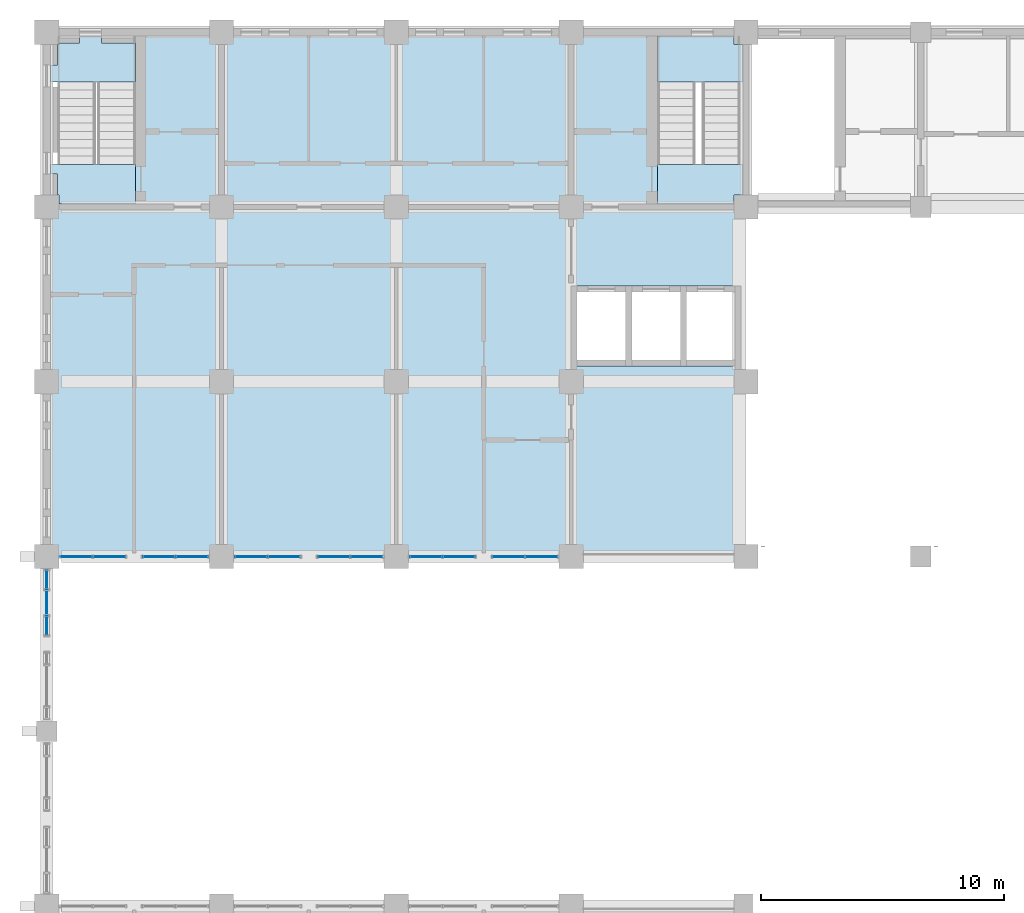
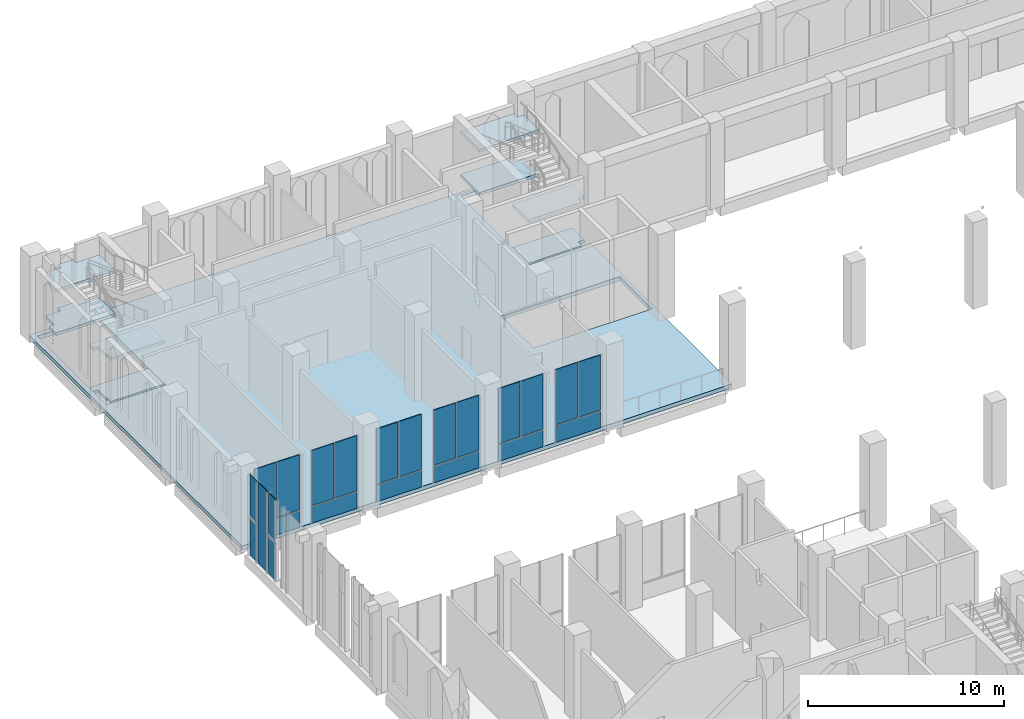
# One storey, part 24 of 48: 23 plates, 9 slabs, 9 elements without a shape of their own.
"""IFC4 building model written with IfcOpenShell, lengths in metres."""

from ifc_helpers import new_model, si_unit, direction, frame, origin, origin_2d, place, context, subcontext, project, spatial, polyline, rectangle, outline, extrude, material, layer, layer_set, type_object, element, aggregate, save


model = new_model("IFC4")

# Units and contexts
model_context = context("Model", 3, precision=1e-05, world=origin(), true_north=direction((0.0, 1.0)))
body_context = subcontext(model_context, "Body", "Model", "MODEL_VIEW")
ifc_project = project(units=[si_unit("LENGTHUNIT", "METRE"), si_unit("AREAUNIT", "SQUARE_METRE"), si_unit("VOLUMEUNIT", "CUBIC_METRE"), si_unit("PLANEANGLEUNIT", "RADIAN"), si_unit("MASSUNIT", "GRAM", prefix="KILO")], contexts=[model_context])

# Site, building, storey
site_placement = place(None, origin())
site = spatial("IfcSite", under=ifc_project, at=site_placement, CompositionType="ELEMENT")
building_placement = place(site_placement, origin())
building = spatial("IfcBuilding", under=site, at=building_placement, Name="Silangan Lancet Faculty of Sciences", CompositionType="ELEMENT")
storey_placement = place(building_placement, frame((0.0, 0.0, 6.0)))
storey = spatial("IfcBuildingStorey", under=building, at=storey_placement, Name="L01", CompositionType="ELEMENT", Elevation=6.0)

# Curtain wall, plates
ifc_material_1 = material(Name="Aluminium framed curtain wall with insulated glass", Category="aluminium")
curtain_wall_type_1 = type_object("IfcCurtainWallType", Name="CW3 West stepped lancet window", PredefinedType="NOTDEFINED", material=ifc_material_1)
curtain_wall_1_placement = place(storey_placement, origin())
curtain_wall_1 = element("IfcCurtainWall", 1, at=curtain_wall_1_placement, inside=storey, type_object=curtain_wall_type_1, Name="CW3 West window L01 bay 4", PredefinedType="NOTDEFINED")
ifc_material_2 = material(Name="Insulated glass unit 8+16+8 low-emissivity", Category="glass")
ifc_layer_1 = layer(ifc_material_2, 0.031982421875)
ifc_layer_set_1 = layer_set([ifc_layer_1], Name="Insulated glass unit 8+16+8 low-emissivity")
plate_type_1 = type_object("IfcPlateType", Name="CP1 Panel vision glass 32", PredefinedType="CURTAIN_PANEL", material=ifc_layer_set_1)
plate_1_placement = place(storey_placement, frame((0.0, 33.14990234375, 2.25), z_axis=(0.0, 0.0, 1.0), x_axis=(0.0, 1.0, 0.0)))
plate_1 = element("IfcPlate", 2, at=plate_1_placement, type_object=plate_type_1, Name="CW3 West window L01 bay 4 panel 3", PredefinedType="CURTAIN_PANEL", context=body_context, shape_type="SweptSolid", body=[
    extrude(rectangle(XDim=0.75, YDim=0.031982421875, at=origin_2d()), origin(), (0.0, 0.0, 1.0), 2.550048828125),
])
plate_2_placement = place(storey_placement, frame((0.0, 35.050048828125, 2.25), z_axis=(0.0, 0.0, 1.0), x_axis=(0.0, 1.0, 0.0)))
plate_2 = element("IfcPlate", 3, at=plate_2_placement, type_object=plate_type_1, Name="CW3 West window L01 bay 4 panel 4", PredefinedType="CURTAIN_PANEL", context=body_context, shape_type="SweptSolid", body=[
    extrude(rectangle(XDim=0.75, YDim=0.031982421875, at=origin_2d()), origin(), (0.0, 0.0, 1.0), 2.550048828125),
])
ifc_material_3 = material(Name="Laminated insulated glass unit 10.76+14+8", Category="glass")
ifc_layer_2 = layer(ifc_material_3, 0.035888671875)
ifc_layer_set_2 = layer_set([ifc_layer_2], Name="Laminated insulated glass unit 10.76+14+8")
plate_type_2 = type_object("IfcPlateType", Name="CP2 Panel laminated glass 36", PredefinedType="CURTAIN_PANEL", material=ifc_layer_set_2)
plate_3_placement = place(storey_placement, frame((0.0, 33.14990234375, -0.25), z_axis=(0.0, 0.0, 1.0), x_axis=(0.0, 1.0, 0.0)))
plate_3 = element("IfcPlate", 4, at=plate_3_placement, type_object=plate_type_2, Name="CW3 West window L01 bay 4 panel 1", PredefinedType="CURTAIN_PANEL", context=body_context, shape_type="SweptSolid", body=[
    extrude(rectangle(XDim=0.75, YDim=0.035888671875, at=origin_2d()), origin(), (0.0, 0.0, 1.0), 2.39990234375),
])
plate_4_placement = place(storey_placement, frame((0.0, 35.050048828125, -0.25), z_axis=(0.0, 0.0, 1.0), x_axis=(0.0, 1.0, 0.0)))
plate_4 = element("IfcPlate", 5, at=plate_4_placement, type_object=plate_type_2, Name="CW3 West window L01 bay 4 panel 2", PredefinedType="CURTAIN_PANEL", context=body_context, shape_type="SweptSolid", body=[
    extrude(rectangle(XDim=0.75, YDim=0.035888671875, at=origin_2d()), origin(), (0.0, 0.0, 1.0), 2.39990234375),
])
plate_5_placement = place(storey_placement, frame((0.0, 34.099853515625, -0.25), z_axis=(0.0, 0.0, 1.0), x_axis=(0.0, 1.0, 0.0)))
plate_5 = element("IfcPlate", 6, at=plate_5_placement, type_object=plate_type_2, Name="CW3 West window L01 bay 4 panel 5", PredefinedType="CURTAIN_PANEL", context=body_context, shape_type="SweptSolid", body=[
    extrude(rectangle(XDim=1.0, YDim=0.035888671875, at=origin_2d()), origin(), (0.0, 0.0, 1.0), 5.050048828125),
])
aggregate(curtain_wall_1, [plate_3, plate_4, plate_1, plate_2, plate_5])

ifc_material_4 = material(Name="Aluminium framed curtain wall with insulated glass", Category="aluminium")
curtain_wall_type_2 = type_object("IfcCurtainWallType", Name="CW2 Atrium fire-resisting screen", PredefinedType="NOTDEFINED", material=ifc_material_4)
curtain_wall_2_placement = place(storey_placement, origin())
curtain_wall_2 = element("IfcCurtainWall", 7, at=curtain_wall_2_placement, inside=storey, type_object=curtain_wall_type_2, Name="CW2 Atrium north L01 bay 1", PredefinedType="NOTDEFINED")
ifc_material_5 = material(Name="Fire-resisting glass unit 40 mm, integrity E", Category="glass")
ifc_layer_3 = layer(ifc_material_5, 0.0400390625)
ifc_layer_set_3 = layer_set([ifc_layer_3], Name="Fire-resisting glass unit 40 mm, integrity E")
plate_type_3 = type_object("IfcPlateType", Name="CP3 Panel fire-resisting glass 40", PredefinedType="CURTAIN_PANEL", material=ifc_layer_set_3)
plate_6_placement = place(storey_placement, frame((1.900146484375, 36.0, 0.0), z_axis=(0.0, 0.0, 1.0), x_axis=(1.0, 0.0, 0.0)))
plate_6 = element("IfcPlate", 8, at=plate_6_placement, type_object=plate_type_3, Name="CW2 Atrium north L01 bay 1 panel 1", PredefinedType="CURTAIN_PANEL", context=body_context, shape_type="SweptSolid", body=[
    extrude(rectangle(XDim=2.650146484375, YDim=0.0400390625, at=origin_2d()), origin(), (0.0, 0.0, 1.0), 1.02490234375),
])
plate_7_placement = place(storey_placement, frame((1.21875, 36.0, 1.10009765625), z_axis=(0.0, 0.0, 1.0), x_axis=(1.0, 0.0, 0.0)))
plate_7 = element("IfcPlate", 9, at=plate_7_placement, type_object=plate_type_3, Name="CW2 Atrium north L01 bay 1 panel 2", PredefinedType="CURTAIN_PANEL", context=body_context, shape_type="SweptSolid", body=[
    extrude(rectangle(XDim=1.28759765625, YDim=0.0400390625, at=origin_2d()), origin(), (0.0, 0.0, 1.0), 3.449951171875),
])
plate_8_placement = place(storey_placement, frame((2.581298828125, 36.0, 1.10009765625), z_axis=(0.0, 0.0, 1.0), x_axis=(1.0, 0.0, 0.0)))
plate_8 = element("IfcPlate", 10, at=plate_8_placement, type_object=plate_type_3, Name="CW2 Atrium north L01 bay 1 panel 3", PredefinedType="CURTAIN_PANEL", context=body_context, shape_type="SweptSolid", body=[
    extrude(rectangle(XDim=1.28759765625, YDim=0.0400390625, at=origin_2d()), origin(), (0.0, 0.0, 1.0), 3.449951171875),
])
aggregate(curtain_wall_2, [plate_6, plate_7, plate_8])

curtain_wall_3_placement = place(storey_placement, origin())
curtain_wall_3 = element("IfcCurtainWall", 11, at=curtain_wall_3_placement, inside=storey, type_object=curtain_wall_type_2, Name="CW2 Atrium north L01 bay 2", PredefinedType="NOTDEFINED")
plate_9_placement = place(storey_placement, frame((5.300048828125, 36.0, 0.0), z_axis=(0.0, 0.0, 1.0), x_axis=(1.0, 0.0, 0.0)))
plate_9 = element("IfcPlate", 12, at=plate_9_placement, type_object=plate_type_3, Name="CW2 Atrium north L01 bay 2 panel 1", PredefinedType="CURTAIN_PANEL", context=body_context, shape_type="SweptSolid", body=[
    extrude(rectangle(XDim=2.64990234375, YDim=0.0400390625, at=origin_2d()), origin(), (0.0, 0.0, 1.0), 1.02490234375),
])
plate_10_placement = place(storey_placement, frame((4.618896484375, 36.0, 1.10009765625), z_axis=(0.0, 0.0, 1.0), x_axis=(1.0, 0.0, 0.0)))
plate_10 = element("IfcPlate", 13, at=plate_10_placement, type_object=plate_type_3, Name="CW2 Atrium north L01 bay 2 panel 2", PredefinedType="CURTAIN_PANEL", context=body_context, shape_type="SweptSolid", body=[
    extrude(rectangle(XDim=1.287353515625, YDim=0.0400390625, at=origin_2d()), origin(), (0.0, 0.0, 1.0), 3.449951171875),
])
plate_11_placement = place(storey_placement, frame((5.981201171875, 36.0, 1.10009765625), z_axis=(0.0, 0.0, 1.0), x_axis=(1.0, 0.0, 0.0)))
plate_11 = element("IfcPlate", 14, at=plate_11_placement, type_object=plate_type_3, Name="CW2 Atrium north L01 bay 2 panel 3", PredefinedType="CURTAIN_PANEL", context=body_context, shape_type="SweptSolid", body=[
    extrude(rectangle(XDim=1.287353515625, YDim=0.0400390625, at=origin_2d()), origin(), (0.0, 0.0, 1.0), 3.449951171875),
])
aggregate(curtain_wall_3, [plate_9, plate_10, plate_11])

curtain_wall_4_placement = place(storey_placement, origin())
curtain_wall_4 = element("IfcCurtainWall", 15, at=curtain_wall_4_placement, inside=storey, type_object=curtain_wall_type_2, Name="CW2 Atrium north L01 bay 3", PredefinedType="NOTDEFINED")
plate_12_placement = place(storey_placement, frame((9.10009765625, 36.0, 0.0), z_axis=(0.0, 0.0, 1.0), x_axis=(1.0, 0.0, 0.0)))
plate_12 = element("IfcPlate", 16, at=plate_12_placement, type_object=plate_type_3, Name="CW2 Atrium north L01 bay 3 panel 1", PredefinedType="CURTAIN_PANEL", context=body_context, shape_type="SweptSolid", body=[
    extrude(rectangle(XDim=2.64990234375, YDim=0.0400390625, at=origin_2d()), origin(), (0.0, 0.0, 1.0), 1.02490234375),
])
plate_13_placement = place(storey_placement, frame((8.418701171875, 36.0, 1.10009765625), z_axis=(0.0, 0.0, 1.0), x_axis=(1.0, 0.0, 0.0)))
plate_13 = element("IfcPlate", 17, at=plate_13_placement, type_object=plate_type_3, Name="CW2 Atrium north L01 bay 3 panel 2", PredefinedType="CURTAIN_PANEL", context=body_context, shape_type="SweptSolid", body=[
    extrude(rectangle(XDim=1.28759765625, YDim=0.0400390625, at=origin_2d()), origin(), (0.0, 0.0, 1.0), 3.449951171875),
])
plate_14_placement = place(storey_placement, frame((9.78125, 36.0, 1.10009765625), z_axis=(0.0, 0.0, 1.0), x_axis=(1.0, 0.0, 0.0)))
plate_14 = element("IfcPlate", 18, at=plate_14_placement, type_object=plate_type_3, Name="CW2 Atrium north L01 bay 3 panel 3", PredefinedType="CURTAIN_PANEL", context=body_context, shape_type="SweptSolid", body=[
    extrude(rectangle(XDim=1.28759765625, YDim=0.0400390625, at=origin_2d()), origin(), (0.0, 0.0, 1.0), 3.449951171875),
])
aggregate(curtain_wall_4, [plate_12, plate_13, plate_14])

curtain_wall_5_placement = place(storey_placement, origin())
curtain_wall_5 = element("IfcCurtainWall", 19, at=curtain_wall_5_placement, inside=storey, type_object=curtain_wall_type_2, Name="CW2 Atrium north L01 bay 4", PredefinedType="NOTDEFINED")
plate_15_placement = place(storey_placement, frame((12.5, 36.0, 0.0), z_axis=(0.0, 0.0, 1.0), x_axis=(1.0, 0.0, 0.0)))
plate_15 = element("IfcPlate", 20, at=plate_15_placement, type_object=plate_type_3, Name="CW2 Atrium north L01 bay 4 panel 1", PredefinedType="CURTAIN_PANEL", context=body_context, shape_type="SweptSolid", body=[
    extrude(rectangle(XDim=2.64990234375, YDim=0.0400390625, at=origin_2d()), origin(), (0.0, 0.0, 1.0), 1.02490234375),
])
plate_16_placement = place(storey_placement, frame((11.81884765625, 36.0, 1.10009765625), z_axis=(0.0, 0.0, 1.0), x_axis=(1.0, 0.0, 0.0)))
plate_16 = element("IfcPlate", 21, at=plate_16_placement, type_object=plate_type_3, Name="CW2 Atrium north L01 bay 4 panel 2", PredefinedType="CURTAIN_PANEL", context=body_context, shape_type="SweptSolid", body=[
    extrude(rectangle(XDim=1.28759765625, YDim=0.0400390625, at=origin_2d()), origin(), (0.0, 0.0, 1.0), 3.449951171875),
])
plate_17_placement = place(storey_placement, frame((13.18115234375, 36.0, 1.10009765625), z_axis=(0.0, 0.0, 1.0), x_axis=(1.0, 0.0, 0.0)))
plate_17 = element("IfcPlate", 22, at=plate_17_placement, type_object=plate_type_3, Name="CW2 Atrium north L01 bay 4 panel 3", PredefinedType="CURTAIN_PANEL", context=body_context, shape_type="SweptSolid", body=[
    extrude(rectangle(XDim=1.28759765625, YDim=0.0400390625, at=origin_2d()), origin(), (0.0, 0.0, 1.0), 3.449951171875),
])
aggregate(curtain_wall_5, [plate_15, plate_16, plate_17])

curtain_wall_6_placement = place(storey_placement, origin())
curtain_wall_6 = element("IfcCurtainWall", 23, at=curtain_wall_6_placement, inside=storey, type_object=curtain_wall_type_2, Name="CW2 Atrium north L01 bay 5", PredefinedType="NOTDEFINED")
plate_18_placement = place(storey_placement, frame((16.300048828125, 36.0, 0.0), z_axis=(0.0, 0.0, 1.0), x_axis=(1.0, 0.0, 0.0)))
plate_18 = element("IfcPlate", 24, at=plate_18_placement, type_object=plate_type_3, Name="CW2 Atrium north L01 bay 5 panel 1", PredefinedType="CURTAIN_PANEL", context=body_context, shape_type="SweptSolid", body=[
    extrude(rectangle(XDim=2.64990234375, YDim=0.0400390625, at=origin_2d()), origin(), (0.0, 0.0, 1.0), 1.02490234375),
])
plate_19_placement = place(storey_placement, frame((15.61865234375, 36.0, 1.10009765625), z_axis=(0.0, 0.0, 1.0), x_axis=(1.0, 0.0, 0.0)))
plate_19 = element("IfcPlate", 25, at=plate_19_placement, type_object=plate_type_3, Name="CW2 Atrium north L01 bay 5 panel 2", PredefinedType="CURTAIN_PANEL", context=body_context, shape_type="SweptSolid", body=[
    extrude(rectangle(XDim=1.28759765625, YDim=0.0400390625, at=origin_2d()), origin(), (0.0, 0.0, 1.0), 3.449951171875),
])
plate_20_placement = place(storey_placement, frame((16.981201171875, 36.0, 1.10009765625), z_axis=(0.0, 0.0, 1.0), x_axis=(1.0, 0.0, 0.0)))
plate_20 = element("IfcPlate", 26, at=plate_20_placement, type_object=plate_type_3, Name="CW2 Atrium north L01 bay 5 panel 3", PredefinedType="CURTAIN_PANEL", context=body_context, shape_type="SweptSolid", body=[
    extrude(rectangle(XDim=1.28759765625, YDim=0.0400390625, at=origin_2d()), origin(), (0.0, 0.0, 1.0), 3.449951171875),
])
aggregate(curtain_wall_6, [plate_18, plate_19, plate_20])

curtain_wall_7_placement = place(storey_placement, origin())
curtain_wall_7 = element("IfcCurtainWall", 27, at=curtain_wall_7_placement, inside=storey, type_object=curtain_wall_type_2, Name="CW2 Atrium north L01 bay 6", PredefinedType="NOTDEFINED")
plate_21_placement = place(storey_placement, frame((19.699951171875, 36.0, 0.0), z_axis=(0.0, 0.0, 1.0), x_axis=(1.0, 0.0, 0.0)))
plate_21 = element("IfcPlate", 28, at=plate_21_placement, type_object=plate_type_3, Name="CW2 Atrium north L01 bay 6 panel 1", PredefinedType="CURTAIN_PANEL", context=body_context, shape_type="SweptSolid", body=[
    extrude(rectangle(XDim=2.64990234375, YDim=0.0400390625, at=origin_2d()), origin(), (0.0, 0.0, 1.0), 1.02490234375),
])
plate_22_placement = place(storey_placement, frame((19.018798828125, 36.0, 1.10009765625), z_axis=(0.0, 0.0, 1.0), x_axis=(1.0, 0.0, 0.0)))
plate_22 = element("IfcPlate", 29, at=plate_22_placement, type_object=plate_type_3, Name="CW2 Atrium north L01 bay 6 panel 2", PredefinedType="CURTAIN_PANEL", context=body_context, shape_type="SweptSolid", body=[
    extrude(rectangle(XDim=1.28759765625, YDim=0.0400390625, at=origin_2d()), origin(), (0.0, 0.0, 1.0), 3.449951171875),
])
plate_23_placement = place(storey_placement, frame((20.38134765625, 36.0, 1.10009765625), z_axis=(0.0, 0.0, 1.0), x_axis=(1.0, 0.0, 0.0)))
plate_23 = element("IfcPlate", 30, at=plate_23_placement, type_object=plate_type_3, Name="CW2 Atrium north L01 bay 6 panel 3", PredefinedType="CURTAIN_PANEL", context=body_context, shape_type="SweptSolid", body=[
    extrude(rectangle(XDim=1.28759765625, YDim=0.0400390625, at=origin_2d()), origin(), (0.0, 0.0, 1.0), 3.449951171875),
])
aggregate(curtain_wall_7, [plate_21, plate_22, plate_23])

# Slab
ifc_material_6 = material(Name="Concrete C35/45", Category="concrete")
ifc_layer_4 = layer(ifc_material_6, 0.25)
ifc_layer_set_4 = layer_set([ifc_layer_4], Name="Concrete C35/45")
slab_type_1 = type_object("IfcSlabType", Name="SLAB FLOOR 250", PredefinedType="FLOOR", material=ifc_layer_set_4)
slab_1_placement = place(storey_placement, frame((0.0, 0.0, -0.25)))
element("IfcSlab", 31, at=slab_1_placement, inside=storey, type_object=slab_type_1, Name="SLAB-L01-NT", PredefinedType="FLOOR", context=body_context, shape_type="SweptSolid", body=[
    extrude(outline(polyline([(28.800048828125, 57.449951171875), (28.800048828125, 57.75), (28.800048828125, 57.75), (-0.14990234375, 57.75), (-0.14990234375, 36.0), (28.800048828125, 36.0), (28.800048828125, 50.39990234375), (25.14990234375, 50.39990234375), (25.14990234375, 57.449951171875), (28.800048828125, 57.449951171875)]), holes=[polyline([(28.60009765625, 47.14990234375), (28.60009765625, 43.85009765625), (21.60009765625, 43.85009765625), (21.60009765625, 47.14990234375), (28.60009765625, 47.14990234375)]), polyline([(3.64990234375, 50.39990234375), (0.14990234375, 50.39990234375), (0.14990234375, 57.449951171875), (3.64990234375, 57.449951171875), (3.64990234375, 50.39990234375)])]), origin(), (0.0, 0.0, 1.0), 0.25),
])

# Stair, slabs
ifc_material_7 = material(Name="Concrete C40/50", Category="concrete")
stair_type = type_object("IfcStairType", Name="TURRET STAIR 1550 FOUR-FLIGHT", PredefinedType="DOUBLE_RETURN_STAIR", material=ifc_material_7)
stair_1_placement = place(storey_placement, origin())
stair_1 = element("IfcStair", 32, at=stair_1_placement, inside=storey, type_object=stair_type, Name="NT-A stair L01", PredefinedType="DOUBLE_RETURN_STAIR")
ifc_material_8 = material(Name="Concrete C40/50", Category="concrete")
ifc_layer_5 = layer(ifc_material_8, 0.179931640625)
ifc_layer_set_5 = layer_set([ifc_layer_5], Name="Concrete C40/50")
slab_type_2 = type_object("IfcSlabType", Name="TURRET STAIR LANDING RC 180", PredefinedType="LANDING", material=ifc_layer_set_5)
slab_2_placement = place(storey_placement, frame((0.0, 0.0, -0.179931640625)))
slab_2 = element("IfcSlab", 33, at=slab_2_placement, type_object=slab_type_2, Name="STR3 landing 1", PredefinedType="LANDING", context=body_context, shape_type="SweptSolid", body=[
    extrude(outline(polyline([(3.64990234375, 52.14990234375), (3.64990234375, 50.52490234375), (0.5, 50.52490234375), (0.5, 50.89990234375), (0.449951171875, 50.89990234375), (0.449951171875, 51.75), (0.14990234375, 51.75), (0.14990234375, 52.14990234375), (3.64990234375, 52.14990234375)])), origin(), (0.0, 0.0, 1.0), 0.179931640625),
])
slab_3_placement = place(storey_placement, frame((0.0, 0.0, 1.169921875)))
slab_3 = element("IfcSlab", 34, at=slab_3_placement, type_object=slab_type_2, Name="STR3 landing 2", PredefinedType="LANDING", context=body_context, shape_type="SweptSolid", body=[
    extrude(outline(polyline([(0.14990234375, 56.25), (0.449951171875, 56.25), (0.449951171875, 57.10009765625), (0.5, 57.10009765625), (0.5, 57.14990234375), (1.35009765625, 57.14990234375), (1.35009765625, 57.449951171875), (2.25, 57.449951171875), (2.25, 57.14990234375), (3.64990234375, 57.14990234375), (3.64990234375, 55.550048828125), (0.14990234375, 55.550048828125), (0.14990234375, 56.25)])), origin(), (0.0, 0.0, 1.0), 0.18017578125),
])
slab_4_placement = place(storey_placement, frame((0.0, 0.0, 2.52001953125)))
slab_4 = element("IfcSlab", 35, at=slab_4_placement, type_object=slab_type_2, Name="STR3 landing 3", PredefinedType="LANDING", context=body_context, shape_type="SweptSolid", body=[
    extrude(outline(polyline([(3.64990234375, 52.14990234375), (3.64990234375, 50.52490234375), (0.5, 50.52490234375), (0.5, 50.89990234375), (0.449951171875, 50.89990234375), (0.449951171875, 51.75), (0.14990234375, 51.75), (0.14990234375, 52.14990234375), (3.64990234375, 52.14990234375)])), origin(), (0.0, 0.0, 1.0), 0.179931640625),
])
slab_5_placement = place(storey_placement, frame((0.0, 0.0, 3.8701171875)))
slab_5 = element("IfcSlab", 36, at=slab_5_placement, type_object=slab_type_2, Name="STR3 landing 4", PredefinedType="LANDING", context=body_context, shape_type="SweptSolid", body=[
    extrude(outline(polyline([(0.14990234375, 56.25), (0.449951171875, 56.25), (0.449951171875, 57.10009765625), (0.5, 57.10009765625), (0.5, 57.14990234375), (1.35009765625, 57.14990234375), (1.35009765625, 57.449951171875), (2.25, 57.449951171875), (2.25, 57.14990234375), (3.64990234375, 57.14990234375), (3.64990234375, 55.550048828125), (0.14990234375, 55.550048828125), (0.14990234375, 56.25)])), origin(), (0.0, 0.0, 1.0), 0.179931640625),
])
aggregate(stair_1, [slab_2, slab_3, slab_4, slab_5])

stair_2_placement = place(storey_placement, origin())
stair_2 = element("IfcStair", 37, at=stair_2_placement, inside=storey, type_object=stair_type, Name="NT-B stair L01", PredefinedType="DOUBLE_RETURN_STAIR")
slab_6_placement = place(storey_placement, frame((0.0, 0.0, -0.179931640625)))
slab_6 = element("IfcSlab", 38, at=slab_6_placement, type_object=slab_type_2, Name="STR4 landing 1", PredefinedType="LANDING", context=body_context, shape_type="SweptSolid", body=[
    extrude(outline(polyline([(28.300048828125, 50.89990234375), (28.300048828125, 50.52490234375), (25.14990234375, 50.52490234375), (25.14990234375, 52.14990234375), (28.675048828125, 52.14990234375), (28.675048828125, 50.89990234375), (28.300048828125, 50.89990234375)])), origin(), (0.0, 0.0, 1.0), 0.179931640625),
])
slab_7_placement = place(storey_placement, frame((0.0, 0.0, 1.169921875)))
slab_7 = element("IfcSlab", 39, at=slab_7_placement, type_object=slab_type_2, Name="STR4 landing 2", PredefinedType="LANDING", context=body_context, shape_type="SweptSolid", body=[
    extrude(outline(polyline([(25.14990234375, 55.550048828125), (25.14990234375, 57.449951171875), (28.300048828125, 57.449951171875), (28.300048828125, 57.10009765625), (28.675048828125, 57.10009765625), (28.675048828125, 55.550048828125), (25.14990234375, 55.550048828125)])), origin(), (0.0, 0.0, 1.0), 0.18017578125),
])
slab_8_placement = place(storey_placement, frame((0.0, 0.0, 2.52001953125)))
slab_8 = element("IfcSlab", 40, at=slab_8_placement, type_object=slab_type_2, Name="STR4 landing 3", PredefinedType="LANDING", context=body_context, shape_type="SweptSolid", body=[
    extrude(outline(polyline([(28.300048828125, 50.89990234375), (28.300048828125, 50.52490234375), (25.14990234375, 50.52490234375), (25.14990234375, 52.14990234375), (28.675048828125, 52.14990234375), (28.675048828125, 50.89990234375), (28.300048828125, 50.89990234375)])), origin(), (0.0, 0.0, 1.0), 0.179931640625),
])
slab_9_placement = place(storey_placement, frame((0.0, 0.0, 3.8701171875)))
slab_9 = element("IfcSlab", 41, at=slab_9_placement, type_object=slab_type_2, Name="STR4 landing 4", PredefinedType="LANDING", context=body_context, shape_type="SweptSolid", body=[
    extrude(outline(polyline([(25.14990234375, 55.550048828125), (25.14990234375, 57.449951171875), (28.300048828125, 57.449951171875), (28.300048828125, 57.10009765625), (28.675048828125, 57.10009765625), (28.675048828125, 55.550048828125), (25.14990234375, 55.550048828125)])), origin(), (0.0, 0.0, 1.0), 0.179931640625),
])
aggregate(stair_2, [slab_6, slab_7, slab_8, slab_9])

save(model, "model.ifc")
